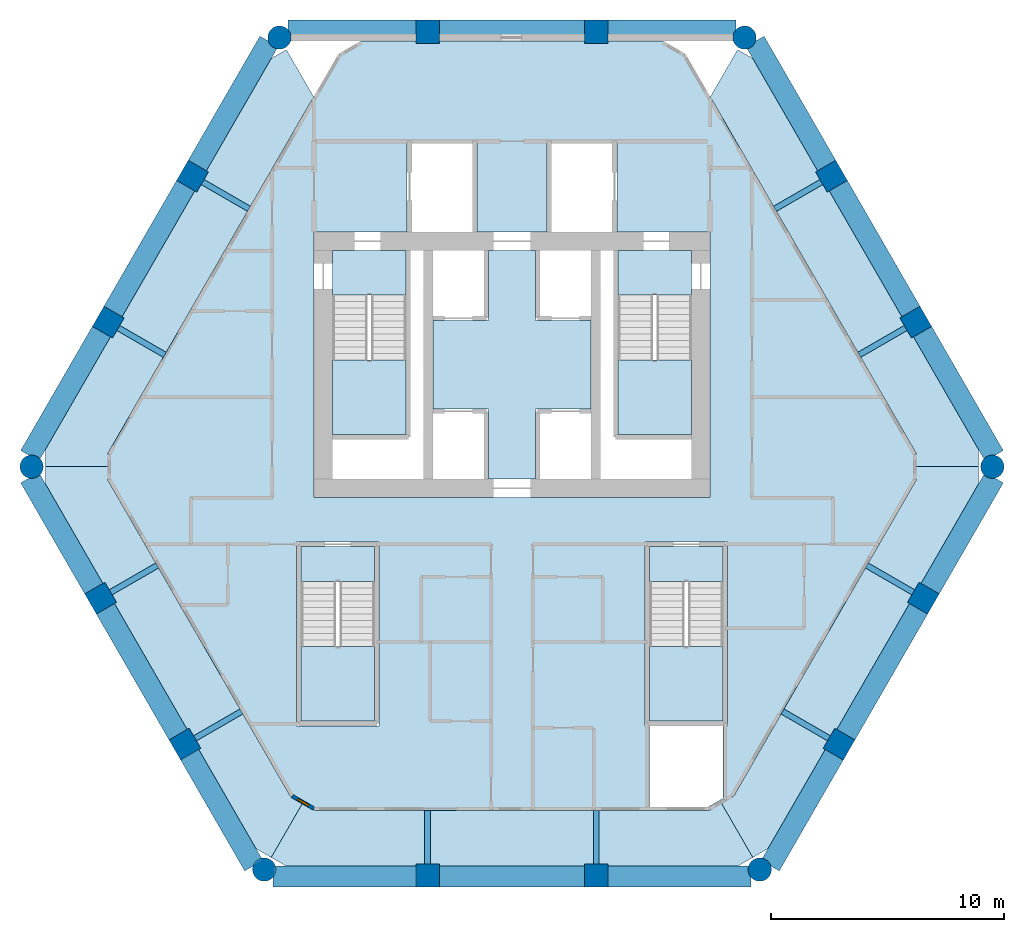
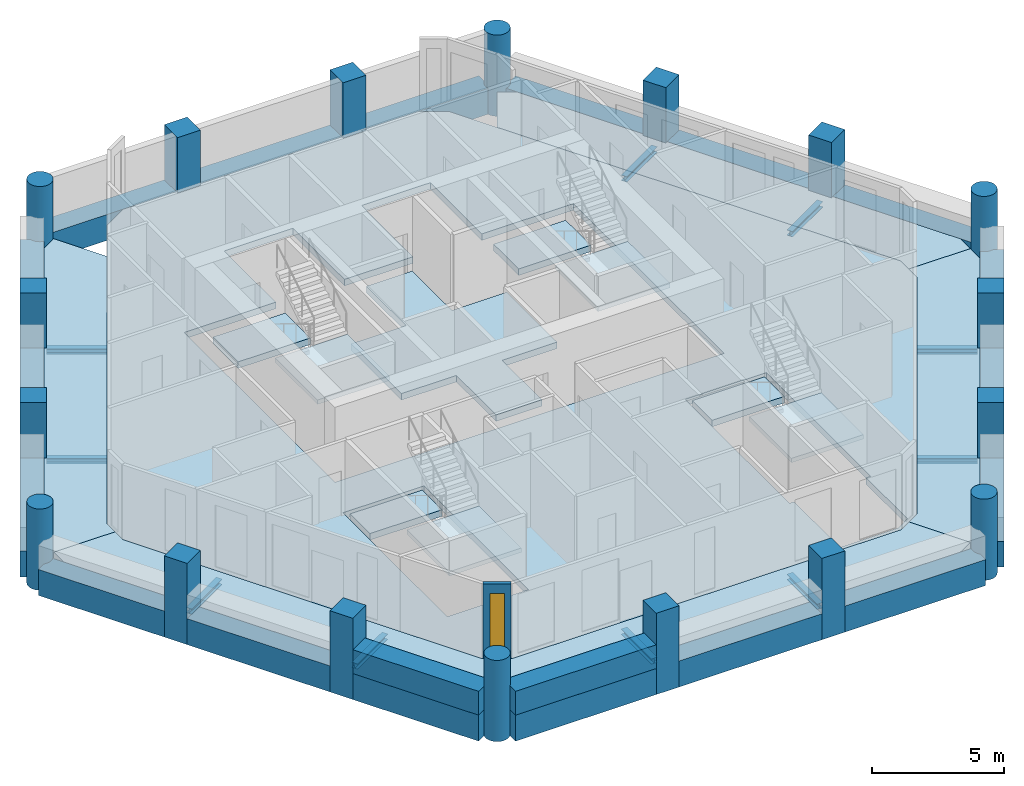
# One storey, part 1 of 7: 28 beams, 18 columns, 15 slabs, 3 walls, 1 window, 1 opening, 4 elements without a shape of their own.
"""IFC4 building model written with IfcOpenShell, lengths in metres."""

import ifcopenshell
import ifcopenshell.guid

model = None  # the IFC model being written
_history = None  # IfcOwnerHistory: only IFC2X3 demands one
_inside = {}  # id of a spatial element -> (the spatial element, [elements in it])
_under = {}  # id of a project, library or spatial element -> (it, [spatial elements below it])
_declared = {}  # id of a project -> (the project, [libraries it declares])
_typed = {}  # id of a type object -> (the type object, [elements of that type])
_made_of = {}  # id of a material, layer set ... -> (it, [elements and type objects made of it])


def new_model(schema):
    """Start an empty IFC model of exactly this schema.

    Asked for "IFC4X3", IfcOpenShell would pick the latest addendum, in which some entities
    have other attributes; the version numbers below select the first issue.
    IFC2X3 requires an IfcOwnerHistory on every rooted entity: one is made here for all.
    """
    global model, _history
    if schema == "IFC4X3":
        model = ifcopenshell.file(schema_version=(4, 3, 0, 0))
    else:
        model = ifcopenshell.file(schema=schema)
    _inside.clear()
    _under.clear()
    _declared.clear()
    _typed.clear()
    _made_of.clear()
    _history = None
    if model.schema == "IFC2X3":
        org = make("IfcOrganization", Name="unknown")
        user = make(
            "IfcPersonAndOrganization",
            ThePerson=make("IfcPerson", FamilyName="unknown"),
            TheOrganization=org,
        )
        app = make(
            "IfcApplication",
            ApplicationDeveloper=org,
            Version="unknown",
            ApplicationFullName="unknown",
            ApplicationIdentifier="unknown",
        )
        _history = make(
            "IfcOwnerHistory",
            OwningUser=user,
            OwningApplication=app,
            ChangeAction="ADDED",
            CreationDate=0,
        )
    return model


def make(cls, **values):
    """One entity of the class cls with the attributes given. An attribute that is None is left unset."""
    return model.create_entity(
        cls, **{name: value for name, value in values.items() if value is not None}
    )


def rooted(cls, **values):
    """An entity with a GlobalId (a new one), such as an element, a storey or a relation."""
    return make(cls, GlobalId=ifcopenshell.guid.new(), OwnerHistory=_history, **values)


def si_unit(unit_type, name, prefix=None):
    """IfcSIUnit, for example si_unit("LENGTHUNIT", "METRE", prefix="MILLI")."""
    return make("IfcSIUnit", UnitType=unit_type, Prefix=prefix, Name=name)


def assignment(units):
    """IfcUnitAssignment: the units of a project."""
    return None if units is None else make("IfcUnitAssignment", Units=units)


def point(xyz):
    """IfcCartesianPoint."""
    return None if xyz is None else make("IfcCartesianPoint", Coordinates=xyz)


def direction(xyz):
    """IfcDirection."""
    return None if xyz is None else make("IfcDirection", DirectionRatios=xyz)


def frame(location, z_axis=None, x_axis=None):
    """IfcAxis2Placement3D, a coordinate frame: its origin and axes. An axis left out is left unset."""
    return make(
        "IfcAxis2Placement3D",
        Location=point(location),
        Axis=direction(z_axis),
        RefDirection=direction(x_axis),
    )


def frame_2d(location, x_axis=None):
    """IfcAxis2Placement2D, a coordinate frame in the plane: its origin and x axis."""
    return make(
        "IfcAxis2Placement2D", Location=point(location), RefDirection=direction(x_axis)
    )


def origin():
    """The frame at (0, 0, 0) with its axes left unset."""
    return frame((0.0, 0.0, 0.0))


def origin_2d():
    """The frame at (0, 0) in the plane with its x axis left unset."""
    return frame_2d((0.0, 0.0))


def place(relative_to, where):
    """IfcLocalPlacement: puts the frame where relative to a parent placement (None: the world)."""
    return make(
        "IfcLocalPlacement", PlacementRelTo=relative_to, RelativePlacement=where
    )


def context(
    kind, dimensions, precision=None, world=None, true_north=None, identifier=None
):
    """IfcGeometricRepresentationContext, for example the 3D "Model" context."""
    return make(
        "IfcGeometricRepresentationContext",
        ContextIdentifier=identifier,
        ContextType=kind,
        CoordinateSpaceDimension=dimensions,
        Precision=precision,
        WorldCoordinateSystem=world,
        TrueNorth=true_north,
    )


def subcontext(parent, identifier, kind, view, scale=None):
    """IfcGeometricRepresentationSubContext, for example "Body" below "Model"."""
    return make(
        "IfcGeometricRepresentationSubContext",
        ContextIdentifier=identifier,
        ContextType=kind,
        ParentContext=parent,
        TargetScale=scale,
        TargetView=view,
    )


def project(units=None, contexts=None):
    """IfcProject with its units and contexts."""
    return rooted(
        "IfcProject",
        Name="project",
        RepresentationContexts=contexts,
        UnitsInContext=assignment(units),
    )


def spatial(cls, under=None, at=None, **own):
    """A site, building, storey or space (cls), placed at a placement, below another one or the project."""
    s = rooted(cls, ObjectPlacement=at, **own)
    if under is not None:
        _under.setdefault(under.id(), (under, []))[1].append(s)
    return s


def polyline(points):
    """IfcPolyline through the points."""
    return make("IfcPolyline", Points=[point(p) for p in points])


def profile(cls, at=None, kind="AREA", **sizes):
    """A parametric profile (cls). Its sizes go by their IFC names, for example OverallWidth=200.0."""
    return make(cls, ProfileType=kind, Position=at, **sizes)


def rectangle(**sizes):
    """IfcRectangleProfileDef."""
    return profile("IfcRectangleProfileDef", **sizes)


def circle(**sizes):
    """IfcCircleProfileDef."""
    return profile("IfcCircleProfileDef", **sizes)


def i_section(**sizes):
    """IfcIShapeProfileDef."""
    return profile("IfcIShapeProfileDef", **sizes)


def outline(outer, holes=None, kind="AREA"):
    """IfcArbitraryClosedProfileDef: a profile drawn as a closed curve; with holes, ...WithVoids."""
    if holes is None:
        return make("IfcArbitraryClosedProfileDef", ProfileType=kind, OuterCurve=outer)
    return make(
        "IfcArbitraryProfileDefWithVoids",
        ProfileType=kind,
        OuterCurve=outer,
        InnerCurves=holes,
    )


def extrude(swept, where, along, depth):
    """IfcExtrudedAreaSolid: the profile swept, set in the frame where, extruded along a direction by depth."""
    return make(
        "IfcExtrudedAreaSolid",
        SweptArea=swept,
        Position=where,
        ExtrudedDirection=direction(along),
        Depth=depth,
    )


def shape(context_of_items, identifier, shape_type, items):
    """IfcShapeRepresentation: the items that make up one representation, for example the "Body"."""
    return make(
        "IfcShapeRepresentation",
        ContextOfItems=context_of_items,
        RepresentationIdentifier=identifier,
        RepresentationType=shape_type,
        Items=items,
    )


def material(Name=None, Category=None):
    """IfcMaterial."""
    return make("IfcMaterial", Name=Name, Category=Category)


def layer(
    of_material, thickness, ventilated=None, Name=None, Category=None, Priority=None
):
    """IfcMaterialLayer: one layer of a wall or slab, of a material (None: an air gap)."""
    return make(
        "IfcMaterialLayer",
        Material=of_material,
        LayerThickness=thickness,
        IsVentilated=ventilated,
        Name=Name,
        Category=Category,
        Priority=Priority,
    )


def layer_set(layers, Name=None):
    """IfcMaterialLayerSet."""
    return make("IfcMaterialLayerSet", MaterialLayers=layers, LayerSetName=Name)


def material_profile(
    of_material, cross_section, Name=None, Category=None, Priority=None
):
    """IfcMaterialProfile: a cross section and its material."""
    return make(
        "IfcMaterialProfile",
        Name=Name,
        Material=of_material,
        Profile=cross_section,
        Priority=Priority,
        Category=Category,
    )


def profile_set(profiles, Name=None, composite=None):
    """IfcMaterialProfileSet."""
    return make(
        "IfcMaterialProfileSet",
        Name=Name,
        MaterialProfiles=profiles,
        CompositeProfile=composite,
    )


def made_of(thing, what):
    """Note that an element or type object is made of a material, layer set ...; save() writes the relation."""
    if what is not None:
        _made_of.setdefault(what.id(), (what, []))[1].append(thing)
    return thing


def type_object(cls, material=None, **own):
    """A type object (cls), such as IfcWallType, which elements share."""
    return made_of(rooted(cls, **own), material)


def element(
    cls,
    number,
    at=None,
    inside=None,
    cuts=None,
    type_object=None,
    material=None,
    context=None,
    identifier="Body",
    shape_type=None,
    held_by="IfcProductDefinitionShape",
    body=None,
    shapes=None,
    **own,
):
    """One element of the class cls, such as IfcWall. Its Tag is "e" and its number.

    at: its placement. inside: the storey or other place that contains it. cuts: it is an
    opening in that element (IfcRelVoidsElement). A single representation is given by context,
    identifier, shape_type and body (its items); several are given by shapes. held_by: the class
    of the entity that holds the representations. save() writes the other relations.
    """
    e = rooted(cls, Tag="e%d" % number, ObjectPlacement=at, **own)
    if body is not None:
        shapes = [shape(context, identifier, shape_type, body)]
    if shapes is not None:
        e.Representation = make(held_by, Representations=shapes)
    if inside is not None:
        _inside.setdefault(inside.id(), (inside, []))[1].append(e)
    if cuts is not None:
        rooted(
            "IfcRelVoidsElement", RelatingBuildingElement=cuts, RelatedOpeningElement=e
        )
    if type_object is not None:
        _typed.setdefault(type_object.id(), (type_object, []))[1].append(e)
    return made_of(e, material)


def fill(opening, filler):
    """IfcRelFillsElement: the door or window that sits in an opening."""
    return rooted(
        "IfcRelFillsElement",
        RelatingOpeningElement=opening,
        RelatedBuildingElement=filler,
    )


def aggregate(whole, parts):
    """IfcRelAggregates: a whole, such as a stair, and the parts it consists of."""
    return rooted("IfcRelAggregates", RelatingObject=whole, RelatedObjects=parts)


def save(model, path):
    """Write the relations noted so far, then the file.

    IfcRelAggregates (storeys below a building ...), IfcRelContainedInSpatialStructure (elements
    in a storey), IfcRelDefinesByType, IfcRelAssociatesMaterial and IfcRelDeclares: one each for
    every whole, place, type object, material and project.
    """
    for whole, parts in _under.values():
        aggregate(whole, parts)
    for where, things in _inside.values():
        rooted(
            "IfcRelContainedInSpatialStructure",
            RelatedElements=things,
            RelatingStructure=where,
        )
    for kind, things in _typed.values():
        rooted("IfcRelDefinesByType", RelatedObjects=things, RelatingType=kind)
    for what, things in _made_of.values():
        rooted("IfcRelAssociatesMaterial", RelatedObjects=things, RelatingMaterial=what)
    for by, libraries in _declared.values():
        rooted("IfcRelDeclares", RelatingContext=by, RelatedDefinitions=libraries)
    model.write(path)


model = new_model("IFC4")

# Units and contexts
model_context = context("Model", 3, precision=1e-05, world=origin(), true_north=direction((0.0, 1.0)))
body_context = subcontext(model_context, "Body", "Model", "MODEL_VIEW")
ifc_project = project(units=[si_unit("LENGTHUNIT", "METRE"), si_unit("AREAUNIT", "SQUARE_METRE"), si_unit("VOLUMEUNIT", "CUBIC_METRE"), si_unit("PLANEANGLEUNIT", "RADIAN"), si_unit("MASSUNIT", "GRAM", prefix="KILO")], contexts=[model_context])

# Site, building, storey
site_placement = place(None, origin())
site = spatial("IfcSite", under=ifc_project, at=site_placement, CompositionType="ELEMENT")
building_placement = place(site_placement, origin())
building = spatial("IfcBuilding", under=site, at=building_placement, Name="Ostrander Bayou Hotel Tower", CompositionType="ELEMENT")
storey_placement = place(building_placement, frame((0.0, 0.0, 172.0)))
storey = spatial("IfcBuildingStorey", under=building, at=storey_placement, Name="L42", CompositionType="ELEMENT", Elevation=172.0)

# Columns
ifc_material_1 = material(Name="Concrete f'c 60 MPa", Category="concrete")
ifc_material_profile_1 = material_profile(ifc_material_1, circle(Radius=0.5, at=origin_2d()))
ifc_profile_set_1 = profile_set([ifc_material_profile_1], Name="Concrete f'c 60 MPa")
column_type_1 = type_object("IfcColumnType", Name="C5 round column 1000 mm f'c 60 MPa", PredefinedType="COLUMN", material=ifc_profile_set_1)
for number, where, z_axis, x_axis, name in (
    (1, (-9.98388671875, 18.04541015625, -1.199951171875), (0.0, 0.0, 1.0), (1.0, 0.0, 0.0), "C5 L42 K0"),
    (2, (-20.619873046875, -0.37646484375, -1.199951171875), (0.0, 0.0, 1.0), (1.0, 0.0, 0.0), "C5 L42 K1"),
    (3, (-10.635986328125, -17.669189453125, -1.199951171875), (0.0, 0.0, 1.0), (1.0, 0.0, 0.0), "C5 L42 K2"),
    (4, (10.635986328125, -17.669189453125, -1.199951171875), (0.0, 0.0, 1.0), (1.0, 0.0, 0.0), "C5 L42 K3"),
    (5, (20.619873046875, -0.37646484375, -1.199951171875), (0.0, 0.0, 1.0), (1.0, 0.0, 0.0), "C5 L42 K4"),
    (6, (9.98388671875, 18.04541015625, -1.199951171875), (0.0, 0.0, 1.0), (1.0, 0.0, 0.0), "C5 L42 K5"),
):
    element("IfcColumn", number, at=place(storey_placement, frame(where, z_axis=z_axis, x_axis=x_axis)), inside=storey, type_object=column_type_1, Name=name, PredefinedType="COLUMN", context=body_context, shape_type="SweptSolid", body=[
        extrude(circle(Radius=0.5, at=origin_2d()), origin(), (0.0, 0.0, 1.0), 3.75),
    ])
ifc_material_2 = material(Name="Concrete f'c 60 MPa", Category="concrete")
ifc_material_profile_2 = material_profile(ifc_material_2, rectangle(XDim=1.0, YDim=1.0, at=origin_2d()))
ifc_profile_set_2 = profile_set([ifc_material_profile_2], Name="Concrete f'c 60 MPa")
column_type_2 = type_object("IfcColumnType", Name="C6 square column 1000 x 1000 mm f'c 60 MPa", PredefinedType="COLUMN", material=ifc_profile_set_2)
for number, where, z_axis, x_axis, name in (
    (7, (3.6181640625, 18.300048828125, -1.199951171875), (0.0, 0.0, 1.0), (1.0, 0.0, 0.0), "C6 L42 N1"),
    (8, (-3.6181640625, 18.300048828125, -1.199951171875), (0.0, 0.0, 1.0), (1.0, 0.0, 0.0), "C6 L42 N2"),
    (9, (-13.71337890625, 12.09521484375, -1.199951171875), (0.0, 0.0, 1.0), (0.5, 0.866025403784, 0.0), "C6 L42 NW1"),
    (10, (-17.331298828125, 5.82861328125, -1.199951171875), (0.0, 0.0, 1.0), (0.5, 0.866025403784, 0.0), "C6 L42 NW2"),
    (11, (-17.6572265625, -6.0166015625, -1.199951171875), (0.0, 0.0, 1.0), (-0.5, 0.866025403784, 0.0), "C6 L42 SW1"),
    (12, (-14.039306640625, -12.283203125, -1.199951171875), (0.0, 0.0, 1.0), (-0.5, 0.866025403784, 0.0), "C6 L42 SW2"),
    (13, (-3.6181640625, -17.923583984375, -1.199951171875), (0.0, 0.0, 1.0), (-1.0, 0.0, 0.0), "C6 L42 S1"),
    (14, (3.6181640625, -17.923583984375, -1.199951171875), (0.0, 0.0, 1.0), (-1.0, 0.0, 0.0), "C6 L42 S2"),
    (15, (14.039306640625, -12.283203125, -1.199951171875), (0.0, 0.0, 1.0), (-0.5, -0.866025403784, 0.0), "C6 L42 SE1"),
    (16, (17.6572265625, -6.0166015625, -1.199951171875), (0.0, 0.0, 1.0), (-0.5, -0.866025403784, 0.0), "C6 L42 SE2"),
    (17, (17.331298828125, 5.82861328125, -1.199951171875), (0.0, 0.0, 1.0), (0.5, -0.866025403784, 0.0), "C6 L42 NE1"),
    (18, (13.71337890625, 12.09521484375, -1.199951171875), (0.0, 0.0, 1.0), (0.5, -0.866025403784, 0.0), "C6 L42 NE2"),
):
    element("IfcColumn", number, at=place(storey_placement, frame(where, z_axis=z_axis, x_axis=x_axis)), inside=storey, type_object=column_type_2, Name=name, PredefinedType="COLUMN", context=body_context, shape_type="SweptSolid", body=[
        extrude(rectangle(XDim=1.0, YDim=1.0, at=origin_2d()), origin(), (0.0, 0.0, 1.0), 3.75),
    ])

# Beams
ifc_material_3 = material(Name="Steel ASTM A992", Category="steel")
ifc_material_profile_3 = material_profile(ifc_material_3, i_section(OverallWidth=0.25390625, OverallDepth=0.25341796875, WebThickness=0.008544921875, FlangeThickness=0.01416015625, at=origin_2d()))
ifc_profile_set_3 = profile_set([ifc_material_profile_3], Name="Steel ASTM A992")
beam_type_1 = type_object("IfcBeamType", Name="LB2 loggia bracket W10x49", PredefinedType="BEAM", material=ifc_profile_set_3)
for number, where, z_axis, x_axis, name in (
    (19, (-13.2802734375, 11.84521484375, -0.4267578125), (0.866007057882, -0.500031774688, 0.0), (0.500031774688, 0.866007057882, 0.0), "LB2 L42 NW1"),
    (20, (-16.898193359375, 5.57861328125, -0.4267578125), (0.865980515519, -0.500077740698, 0.0), (0.500077740698, 0.865980515519, 0.0), "LB2 L42 NW2"),
    (21, (-17.224365234375, -5.7666015625, -0.4267578125), (0.866053019151, 0.499952165731, 0.0), (-0.499952165731, 0.866053019151, 0.0), "LB2 L42 SW1"),
):
    element("IfcBeam", number, at=place(storey_placement, frame(where, z_axis=z_axis, x_axis=x_axis)), inside=storey, type_object=beam_type_1, Name=name, PredefinedType="BEAM", context=body_context, shape_type="SweptSolid", body=[
        extrude(i_section(OverallWidth=0.25390625, OverallDepth=0.25341796875, WebThickness=0.008544921875, FlangeThickness=0.01416015625, at=origin_2d()), origin(), (0.0, 0.0, 1.0), 2.300048828125),
    ])
beam_1_placement = place(storey_placement, frame((-13.606201171875, -12.033203125, -0.4267578125), z_axis=(0.86602648383, 0.499998129301, 0.0), x_axis=(-0.499998129301, 0.86602648383, 0.0)))
element("IfcBeam", 22, at=beam_1_placement, inside=storey, type_object=beam_type_1, Name="LB2 L42 SW2", PredefinedType="BEAM", context=body_context, shape_type="SweptSolid", body=[
    extrude(i_section(OverallWidth=0.25390625, OverallDepth=0.25341796875, WebThickness=0.008544921875, FlangeThickness=0.01416015625, at=origin_2d()), origin(), (0.0, 0.0, 1.0), 2.2998046875),
])
for number, where, z_axis, x_axis, name in (
    (23, (-3.6181640625, -17.423583984375, -0.4267578125), (0.0, 1.0, 0.0), (-1.0, 0.0, 0.0), "LB2 L42 S1"),
    (24, (3.6181640625, -17.423583984375, -0.4267578125), (0.0, 1.0, 0.0), (-1.0, 0.0, 0.0), "LB2 L42 S2"),
):
    element("IfcBeam", number, at=place(storey_placement, frame(where, z_axis=z_axis, x_axis=x_axis)), inside=storey, type_object=beam_type_1, Name=name, PredefinedType="BEAM", context=body_context, shape_type="SweptSolid", body=[
        extrude(i_section(OverallWidth=0.25390625, OverallDepth=0.25341796875, WebThickness=0.008544921875, FlangeThickness=0.01416015625, at=origin_2d()), origin(), (0.0, 0.0, 1.0), 2.300048828125),
    ])
beam_2_placement = place(storey_placement, frame((13.606201171875, -12.033203125, -0.4267578125), z_axis=(-0.86602648383, 0.499998129301, 0.0), x_axis=(-0.499998129301, -0.86602648383, 0.0)))
element("IfcBeam", 25, at=beam_2_placement, inside=storey, type_object=beam_type_1, Name="LB2 L42 SE1", PredefinedType="BEAM", context=body_context, shape_type="SweptSolid", body=[
    extrude(i_section(OverallWidth=0.25390625, OverallDepth=0.25341796875, WebThickness=0.008544921875, FlangeThickness=0.01416015625, at=origin_2d()), origin(), (0.0, 0.0, 1.0), 2.2998046875),
])
for number, where, z_axis, x_axis, name in (
    (26, (17.224365234375, -5.7666015625, -0.4267578125), (-0.866053019151, 0.499952165731, 0.0), (-0.499952165731, -0.866053019151, 0.0), "LB2 L42 SE2"),
    (27, (16.898193359375, 5.57861328125, -0.4267578125), (-0.865980515519, -0.500077740698, 0.0), (0.500077740698, -0.865980515519, 0.0), "LB2 L42 NE1"),
    (28, (13.2802734375, 11.84521484375, -0.4267578125), (-0.866007057882, -0.500031774688, 0.0), (0.500031774688, -0.866007057882, 0.0), "LB2 L42 NE2"),
):
    element("IfcBeam", number, at=place(storey_placement, frame(where, z_axis=z_axis, x_axis=x_axis)), inside=storey, type_object=beam_type_1, Name=name, PredefinedType="BEAM", context=body_context, shape_type="SweptSolid", body=[
        extrude(i_section(OverallWidth=0.25390625, OverallDepth=0.25341796875, WebThickness=0.008544921875, FlangeThickness=0.01416015625, at=origin_2d()), origin(), (0.0, 0.0, 1.0), 2.300048828125),
    ])
ifc_material_4 = material(Name="Concrete f'c 60 MPa", Category="concrete")
ifc_material_profile_4 = material_profile(ifc_material_4, rectangle(XDim=0.89990234375, YDim=1.199951171875, at=origin_2d()))
ifc_profile_set_4 = profile_set([ifc_material_profile_4], Name="Concrete f'c 60 MPa")
beam_type_2 = type_object("IfcBeamType", Name="SP3 spandrel beam 900 x 1200 mm f'c 60 MPa", PredefinedType="SPANDREL", material=ifc_profile_set_4)
beam_3_placement = place(storey_placement, frame((9.617431640625, 18.35009765625, -0.60009765625), z_axis=(-1.0, 0.0, 0.0), x_axis=(0.0, -1.0, 0.0)))
element("IfcBeam", 29, at=beam_3_placement, inside=storey, type_object=beam_type_2, Name="SP3 L42 N-1", PredefinedType="SPANDREL", context=body_context, shape_type="SweptSolid", body=[
    extrude(rectangle(XDim=0.89990234375, YDim=1.199951171875, at=origin_2d()), origin(), (0.0, 0.0, 1.0), 5.529296875),
])
beam_4_placement = place(storey_placement, frame((3.148193359375, 18.35009765625, -0.60009765625), z_axis=(-1.0, 0.0, 0.0), x_axis=(0.0, -1.0, 0.0)))
element("IfcBeam", 30, at=beam_4_placement, inside=storey, type_object=beam_type_2, Name="SP3 L42 N-2", PredefinedType="SPANDREL", context=body_context, shape_type="SweptSolid", body=[
    extrude(rectangle(XDim=0.89990234375, YDim=1.199951171875, at=origin_2d()), origin(), (0.0, 0.0, 1.0), 6.29638671875),
])
beam_5_placement = place(storey_placement, frame((-4.088134765625, 18.35009765625, -0.60009765625), z_axis=(-1.0, 0.0, 0.0), x_axis=(0.0, -1.0, 0.0)))
element("IfcBeam", 31, at=beam_5_placement, inside=storey, type_object=beam_type_2, Name="SP3 L42 N-3", PredefinedType="SPANDREL", context=body_context, shape_type="SweptSolid", body=[
    extrude(rectangle(XDim=0.89990234375, YDim=1.199951171875, at=origin_2d()), origin(), (0.0, 0.0, 1.0), 5.529296875),
])
beam_6_placement = place(storey_placement, frame((-10.430908203125, 17.88037109375, -0.60009765625), z_axis=(-0.49998343065, -0.866034969892, 0.0), x_axis=(0.866034969892, -0.49998343065, 0.0)))
element("IfcBeam", 32, at=beam_6_placement, inside=storey, type_object=beam_type_2, Name="SP3 L42 NW-1", PredefinedType="SPANDREL", context=body_context, shape_type="SweptSolid", body=[
    extrude(rectangle(XDim=0.89990234375, YDim=1.199951171875, at=origin_2d()), origin(), (0.0, 0.0, 1.0), 6.181396484375),
])
beam_7_placement = place(storey_placement, frame((-13.99169921875, 11.713134765625, -0.60009765625), z_axis=(-0.499984268907, -0.866034485945, 0.0), x_axis=(0.866034485945, -0.499984268907, 0.0)))
element("IfcBeam", 33, at=beam_7_placement, inside=storey, type_object=beam_type_2, Name="SP3 L42 NW-2", PredefinedType="SPANDREL", context=body_context, shape_type="SweptSolid", body=[
    extrude(rectangle(XDim=0.89990234375, YDim=1.199951171875, at=origin_2d()), origin(), (0.0, 0.0, 1.0), 6.296142578125),
])
beam_8_placement = place(storey_placement, frame((-17.609619140625, 5.4462890625, -0.60009765625), z_axis=(-0.500000533151, -0.866025095969, 0.0), x_axis=(0.866025095969, -0.500000533151, 0.0)))
element("IfcBeam", 34, at=beam_8_placement, inside=storey, type_object=beam_type_2, Name="SP3 L42 NW-3", PredefinedType="SPANDREL", context=body_context, shape_type="SweptSolid", body=[
    extrude(rectangle(XDim=0.89990234375, YDim=1.199951171875, at=origin_2d()), origin(), (0.0, 0.0, 1.0), 6.18115234375),
])
beam_9_placement = place(storey_placement, frame((-20.7001953125, -0.84619140625, -0.60009765625), z_axis=(0.500014212531, -0.86601719802, 0.0), x_axis=(0.86601719802, 0.500014212531, 0.0)))
element("IfcBeam", 35, at=beam_9_placement, inside=storey, type_object=beam_type_2, Name="SP3 L42 SW-1", PredefinedType="SPANDREL", context=body_context, shape_type="SweptSolid", body=[
    extrude(rectangle(XDim=0.89990234375, YDim=1.199951171875, at=origin_2d()), origin(), (0.0, 0.0, 1.0), 5.529052734375),
])
beam_10_placement = place(storey_placement, frame((-17.465576171875, -6.44873046875, -0.60009765625), z_axis=(0.500013351051, -0.866017695414, 0.0), x_axis=(0.866017695414, 0.500013351051, 0.0)))
element("IfcBeam", 36, at=beam_10_placement, inside=storey, type_object=beam_type_2, Name="SP3 L42 SW-2", PredefinedType="SPANDREL", context=body_context, shape_type="SweptSolid", body=[
    extrude(rectangle(XDim=0.89990234375, YDim=1.199951171875, at=origin_2d()), origin(), (0.0, 0.0, 1.0), 6.296142578125),
])
beam_11_placement = place(storey_placement, frame((-13.847412109375, -12.71533203125, -0.60009765625), z_axis=(0.499961976493, -0.866047355554, 0.0), x_axis=(0.866047355554, 0.499961976493, 0.0)))
element("IfcBeam", 37, at=beam_11_placement, inside=storey, type_object=beam_type_2, Name="SP3 L42 SW-3", PredefinedType="SPANDREL", context=body_context, shape_type="SweptSolid", body=[
    extrude(rectangle(XDim=0.89990234375, YDim=1.199951171875, at=origin_2d()), origin(), (0.0, 0.0, 1.0), 5.529296875),
])
beam_12_placement = place(storey_placement, frame((-10.269287109375, -17.9736328125, -0.60009765625), z_axis=(1.0, 0.0, 0.0), x_axis=(0.0, 1.0, 0.0)))
element("IfcBeam", 38, at=beam_12_placement, inside=storey, type_object=beam_type_2, Name="SP3 L42 S-1", PredefinedType="SPANDREL", context=body_context, shape_type="SweptSolid", body=[
    extrude(rectangle(XDim=0.89990234375, YDim=1.199951171875, at=origin_2d()), origin(), (0.0, 0.0, 1.0), 6.18115234375),
])
beam_13_placement = place(storey_placement, frame((-3.148193359375, -17.9736328125, -0.60009765625), z_axis=(1.0, 0.0, 0.0), x_axis=(0.0, 1.0, 0.0)))
element("IfcBeam", 39, at=beam_13_placement, inside=storey, type_object=beam_type_2, Name="SP3 L42 S-2", PredefinedType="SPANDREL", context=body_context, shape_type="SweptSolid", body=[
    extrude(rectangle(XDim=0.89990234375, YDim=1.199951171875, at=origin_2d()), origin(), (0.0, 0.0, 1.0), 6.29638671875),
])
beam_14_placement = place(storey_placement, frame((4.088134765625, -17.9736328125, -0.60009765625), z_axis=(1.0, 0.0, 0.0), x_axis=(0.0, 1.0, 0.0)))
element("IfcBeam", 40, at=beam_14_placement, inside=storey, type_object=beam_type_2, Name="SP3 L42 S-3", PredefinedType="SPANDREL", context=body_context, shape_type="SweptSolid", body=[
    extrude(rectangle(XDim=0.89990234375, YDim=1.199951171875, at=origin_2d()), origin(), (0.0, 0.0, 1.0), 6.18115234375),
])
beam_15_placement = place(storey_placement, frame((11.0830078125, -17.50390625, -0.60009765625), z_axis=(0.499961976493, 0.866047355554, 0.0), x_axis=(-0.866047355554, 0.499961976493, 0.0)))
element("IfcBeam", 41, at=beam_15_placement, inside=storey, type_object=beam_type_2, Name="SP3 L42 SE-1", PredefinedType="SPANDREL", context=body_context, shape_type="SweptSolid", body=[
    extrude(rectangle(XDim=0.89990234375, YDim=1.199951171875, at=origin_2d()), origin(), (0.0, 0.0, 1.0), 5.529296875),
])
beam_16_placement = place(storey_placement, frame((14.3173828125, -11.9013671875, -0.60009765625), z_axis=(0.500013351051, 0.866017695414, 0.0), x_axis=(-0.866017695414, 0.500013351051, 0.0)))
element("IfcBeam", 42, at=beam_16_placement, inside=storey, type_object=beam_type_2, Name="SP3 L42 SE-2", PredefinedType="SPANDREL", context=body_context, shape_type="SweptSolid", body=[
    extrude(rectangle(XDim=0.89990234375, YDim=1.199951171875, at=origin_2d()), origin(), (0.0, 0.0, 1.0), 6.296142578125),
])
beam_17_placement = place(storey_placement, frame((17.935546875, -5.634521484375, -0.60009765625), z_axis=(0.500014212531, 0.86601719802, 0.0), x_axis=(-0.86601719802, 0.500014212531, 0.0)))
element("IfcBeam", 43, at=beam_17_placement, inside=storey, type_object=beam_type_2, Name="SP3 L42 SE-3", PredefinedType="SPANDREL", context=body_context, shape_type="SweptSolid", body=[
    extrude(rectangle(XDim=0.89990234375, YDim=1.199951171875, at=origin_2d()), origin(), (0.0, 0.0, 1.0), 5.529052734375),
])
beam_18_placement = place(storey_placement, frame((20.7001953125, 0.09326171875, -0.60009765625), z_axis=(-0.500000533151, 0.866025095969, 0.0), x_axis=(-0.866025095969, -0.500000533151, 0.0)))
element("IfcBeam", 44, at=beam_18_placement, inside=storey, type_object=beam_type_2, Name="SP3 L42 NE-1", PredefinedType="SPANDREL", context=body_context, shape_type="SweptSolid", body=[
    extrude(rectangle(XDim=0.89990234375, YDim=1.199951171875, at=origin_2d()), origin(), (0.0, 0.0, 1.0), 6.18115234375),
])
beam_19_placement = place(storey_placement, frame((17.1396484375, 6.260498046875, -0.60009765625), z_axis=(-0.499984268907, 0.866034485945, 0.0), x_axis=(-0.866034485945, -0.499984268907, 0.0)))
element("IfcBeam", 45, at=beam_19_placement, inside=storey, type_object=beam_type_2, Name="SP3 L42 NE-2", PredefinedType="SPANDREL", context=body_context, shape_type="SweptSolid", body=[
    extrude(rectangle(XDim=0.89990234375, YDim=1.199951171875, at=origin_2d()), origin(), (0.0, 0.0, 1.0), 6.296142578125),
])
beam_20_placement = place(storey_placement, frame((13.521484375, 12.527099609375, -0.60009765625), z_axis=(-0.49998343065, 0.866034969892, 0.0), x_axis=(-0.866034969892, -0.49998343065, 0.0)))
element("IfcBeam", 46, at=beam_20_placement, inside=storey, type_object=beam_type_2, Name="SP3 L42 NE-3", PredefinedType="SPANDREL", context=body_context, shape_type="SweptSolid", body=[
    extrude(rectangle(XDim=0.89990234375, YDim=1.199951171875, at=origin_2d()), origin(), (0.0, 0.0, 1.0), 6.181396484375),
])

# Slabs
ifc_material_5 = material(Name="Concrete f'c 40 MPa", Category="concrete")
ifc_layer_1 = layer(ifc_material_5, 0.300048828125)
ifc_layer_set_1 = layer_set([ifc_layer_1], Name="SL1 floor slab 300 mm f'c 40 MPa")
slab_type_1 = type_object("IfcSlabType", Name="SL1 floor slab 300 mm f'c 40 MPa", PredefinedType="FLOOR", material=ifc_layer_set_1)
slab_1_placement = place(storey_placement, frame((0.0, 0.0, -0.300048828125)))
element("IfcSlab", 47, at=slab_1_placement, inside=storey, type_object=slab_type_1, Name="SL1 L42 1", PredefinedType="FLOOR", context=body_context, shape_type="SweptSolid", body=[
    extrude(outline(polyline([(7.47509765625, 17.300048828125), (17.333984375, 0.2236328125), (17.333984375, -0.976318359375), (9.5126953125, -14.523681640625), (8.473388671875, -15.12353515625), (-8.473388671875, -15.12353515625), (-9.5126953125, -14.523681640625), (-17.333984375, -0.976318359375), (-17.333984375, 0.2236328125), (-7.47509765625, 17.300048828125), (-6.435791015625, 17.89990234375), (6.435791015625, 17.89990234375), (7.47509765625, 17.300048828125)]), holes=[polyline([(9.050048828125, -11.5), (9.25, -11.5), (9.25, -3.60009765625), (5.699951171875, -3.60009765625), (5.699951171875, -11.5), (5.89990234375, -11.5), (5.89990234375, -14.9736328125), (8.43310546875, -14.9736328125), (9.050048828125, -14.617431640625), (9.050048828125, -11.5)]), polyline([(-8.5, -1.699951171875), (8.5, -1.699951171875), (8.5, 9.699951171875), (4.5, 9.699951171875), (4.5, 13.60009765625), (1.5, 13.60009765625), (1.5, 9.699951171875), (-1.5, 9.699951171875), (-1.5, 13.60009765625), (-4.5, 13.60009765625), (-4.5, 9.699951171875), (-8.5, 9.699951171875), (-8.5, -1.699951171875)]), polyline([(-5.699951171875, -3.60009765625), (-9.25, -3.60009765625), (-9.25, -11.5), (-5.699951171875, -11.5), (-5.699951171875, -3.60009765625)])]), origin(), (0.0, 0.0, 1.0), 0.300048828125),
])
slab_2_placement = place(storey_placement, frame((0.0, 0.0, -0.300048828125)))
element("IfcSlab", 48, at=slab_2_placement, inside=storey, type_object=slab_type_1, Name="cslab:L42:001", PredefinedType="FLOOR", context=body_context, shape_type="SweptSolid", body=[
    extrude(outline(polyline([(-3.39990234375, 5.89990234375), (-1.0, 5.89990234375), (-1.0, 8.89990234375), (1.0, 8.89990234375), (1.0, 5.89990234375), (3.39990234375, 5.89990234375), (3.39990234375, 2.10009765625), (1.0, 2.10009765625), (1.0, -0.89990234375), (-1.0, -0.89990234375), (-1.0, 2.10009765625), (-3.39990234375, 2.10009765625), (-3.39990234375, 5.89990234375)])), origin(), (0.0, 0.0, 1.0), 0.300048828125),
])
slab_3_placement = place(storey_placement, frame((0.0, 0.0, -0.300048828125)))
element("IfcSlab", 49, at=slab_3_placement, inside=storey, type_object=slab_type_1, Name="cslab:L42:002", PredefinedType="FLOOR", context=body_context, shape_type="SweptSolid", body=[
    extrude(outline(polyline([(-4.550048828125, 7.0), (-4.550048828125, 8.89990234375), (-7.699951171875, 8.89990234375), (-7.699951171875, 7.0), (-4.550048828125, 7.0)])), origin(), (0.0, 0.0, 1.0), 0.300048828125),
])
slab_4_placement = place(storey_placement, frame((0.0, 0.0, -0.300048828125)))
element("IfcSlab", 50, at=slab_4_placement, inside=storey, type_object=slab_type_1, Name="cslab:L42:003", PredefinedType="FLOOR", context=body_context, shape_type="SweptSolid", body=[
    extrude(outline(polyline([(7.699951171875, 7.0), (7.699951171875, 8.89990234375), (4.550048828125, 8.89990234375), (4.550048828125, 7.0), (7.699951171875, 7.0)])), origin(), (0.0, 0.0, 1.0), 0.300048828125),
])
slab_5_placement = place(storey_placement, frame((0.0, 0.0, -0.300048828125)))
element("IfcSlab", 51, at=slab_5_placement, inside=storey, type_object=slab_type_1, Name="cslab:L42:004", PredefinedType="FLOOR", context=body_context, shape_type="SweptSolid", body=[
    extrude(outline(polyline([(9.050048828125, -5.300048828125), (9.050048828125, -3.800048828125), (5.89990234375, -3.800048828125), (5.89990234375, -5.300048828125), (9.050048828125, -5.300048828125)])), origin(), (0.0, 0.0, 1.0), 0.300048828125),
])
slab_6_placement = place(storey_placement, frame((0.0, 0.0, -0.300048828125)))
element("IfcSlab", 52, at=slab_6_placement, inside=storey, type_object=slab_type_1, Name="cslab:L42:005", PredefinedType="FLOOR", context=body_context, shape_type="SweptSolid", body=[
    extrude(outline(polyline([(-5.89990234375, -5.300048828125), (-5.89990234375, -3.800048828125), (-9.050048828125, -3.800048828125), (-9.050048828125, -5.300048828125), (-5.89990234375, -5.300048828125)])), origin(), (0.0, 0.0, 1.0), 0.300048828125),
])
ifc_material_6 = material(Name="Concrete f'c 40 MPa", Category="concrete")
ifc_layer_2 = layer(ifc_material_6, 0.300048828125)
ifc_layer_set_2 = layer_set([ifc_layer_2], Name="SL4 loggia slab 300 mm f'c 40 MPa")
slab_type_2 = type_object("IfcSlabType", Name="SL4 loggia slab 300 mm f'c 40 MPa", PredefinedType="FLOOR", material=ifc_layer_set_2)
slab_7_placement = place(storey_placement, frame((0.0, 0.0, -0.300048828125)))
element("IfcSlab", 53, at=slab_7_placement, inside=storey, type_object=slab_type_2, Name="SL4 LOGGIA L42 NW 1", PredefinedType="FLOOR", context=body_context, shape_type="SweptSolid", body=[
    extrude(outline(polyline([(-20.018798828125, -0.37646484375), (-20.018798828125, 0.37353515625), (-11.14599609375, 15.74169921875), (-10.3330078125, 17.14990234375), (-9.683349609375, 17.52490234375), (-8.514404296875, 15.5), (-17.333984375, 0.2236328125), (-17.333984375, -0.37646484375), (-20.018798828125, -0.37646484375)])), origin(), (0.0, 0.0, 1.0), 0.300048828125),
])
slab_8_placement = place(storey_placement, frame((0.0, 0.0, -0.300048828125)))
element("IfcSlab", 54, at=slab_8_placement, inside=storey, type_object=slab_type_2, Name="SL4 LOGGIA L42 SW 1", PredefinedType="FLOOR", context=body_context, shape_type="SweptSolid", body=[
    extrude(outline(polyline([(-8.992919921875, -14.823486328125), (-10.33544921875, -17.148681640625), (-10.98486328125, -16.773681640625), (-20.018798828125, -1.12646484375), (-20.018798828125, -0.37646484375), (-17.333984375, -0.37646484375), (-17.333984375, -0.976318359375), (-9.5126953125, -14.523681640625), (-8.992919921875, -14.823486328125)])), origin(), (0.0, 0.0, 1.0), 0.300048828125),
])
slab_9_placement = place(storey_placement, frame((0.0, 0.0, -0.300048828125)))
element("IfcSlab", 55, at=slab_9_placement, inside=storey, type_object=slab_type_2, Name="SL4 LOGGIA L42 S 1", PredefinedType="FLOOR", context=body_context, shape_type="SweptSolid", body=[
    extrude(outline(polyline([(8.992919921875, -14.823486328125), (10.33544921875, -17.148681640625), (9.685791015625, -17.523681640625), (4.088134765625, -17.523681640625), (3.148193359375, -17.523681640625), (0.0, -17.523681640625), (-9.685791015625, -17.523681640625), (-10.33544921875, -17.148681640625), (-8.992919921875, -14.823486328125), (-8.473388671875, -15.12353515625), (8.473388671875, -15.12353515625), (8.992919921875, -14.823486328125)])), origin(), (0.0, 0.0, 1.0), 0.300048828125),
])
slab_10_placement = place(storey_placement, frame((0.0, 0.0, -0.300048828125)))
element("IfcSlab", 56, at=slab_10_placement, inside=storey, type_object=slab_type_2, Name="SL4 LOGGIA L42 SE 1", PredefinedType="FLOOR", context=body_context, shape_type="SweptSolid", body=[
    extrude(outline(polyline([(17.333984375, -0.37646484375), (20.018798828125, -0.37646484375), (20.018798828125, -1.12646484375), (18.85888671875, -3.135498046875), (17.5458984375, -5.40966796875), (17.075927734375, -6.2236328125), (13.927734375, -11.67626953125), (13.457763671875, -12.490478515625), (10.98486328125, -16.773681640625), (10.33544921875, -17.148681640625), (8.992919921875, -14.823486328125), (9.5126953125, -14.523681640625), (17.333984375, -0.976318359375), (17.333984375, -0.37646484375)])), origin(), (0.0, 0.0, 1.0), 0.300048828125),
])
slab_11_placement = place(storey_placement, frame((0.0, 0.0, -0.300048828125)))
element("IfcSlab", 57, at=slab_11_placement, inside=storey, type_object=slab_type_2, Name="SL4 LOGGIA L42 NE 1", PredefinedType="FLOOR", context=body_context, shape_type="SweptSolid", body=[
    extrude(outline(polyline([(9.683349609375, 17.52490234375), (10.3330078125, 17.14990234375), (16.036376953125, 7.271484375), (16.108154296875, 7.147216796875), (16.75, 6.035400390625), (17.219970703125, 5.221435546875), (20.018798828125, 0.37353515625), (20.018798828125, -0.37646484375), (17.333984375, -0.37646484375), (17.333984375, 0.2236328125), (8.514404296875, 15.5), (9.683349609375, 17.52490234375)])), origin(), (0.0, 0.0, 1.0), 0.300048828125),
])

# Stair, slab
ifc_material_7 = material(Name="Concrete f'c 45 MPa", Category="concrete")
stair_type = type_object("IfcStairType", Name="ST1 exit stair 1500 mm f'c 45 MPa", PredefinedType="HALF_TURN_STAIR", material=ifc_material_7)
stair_1_placement = place(storey_placement, origin())
stair_1 = element("IfcStair", 58, at=stair_1_placement, inside=storey, type_object=stair_type, Name="L42 exit stair A", PredefinedType="HALF_TURN_STAIR")
ifc_material_8 = material(Name="Concrete f'c 45 MPa", Category="concrete")
ifc_layer_3 = layer(ifc_material_8, 0.199951171875)
ifc_layer_set_3 = layer_set([ifc_layer_3], Name="SL8 stair landing 200 mm f'c 45 MPa")
slab_type_3 = type_object("IfcSlabType", Name="SL8 stair landing 200 mm f'c 45 MPa", PredefinedType="LANDING", material=ifc_layer_set_3)
slab_12_placement = place(storey_placement, frame((0.0, 0.0, 1.675048828125)))
slab_12 = element("IfcSlab", 59, at=slab_12_placement, type_object=slab_type_3, Name="STA landing 1", PredefinedType="LANDING", context=body_context, shape_type="SweptSolid", body=[
    extrude(outline(polyline([(-7.699951171875, 4.199951171875), (-7.699951171875, 1.0), (-4.550048828125, 1.0), (-4.550048828125, 4.199951171875), (-7.699951171875, 4.199951171875)])), origin(), (0.0, 0.0, 1.0), 0.199951171875),
])
aggregate(stair_1, [slab_12])

stair_2_placement = place(storey_placement, origin())
stair_2 = element("IfcStair", 60, at=stair_2_placement, inside=storey, type_object=stair_type, Name="L42 exit stair B", PredefinedType="HALF_TURN_STAIR")
slab_13_placement = place(storey_placement, frame((0.0, 0.0, 1.675048828125)))
slab_13 = element("IfcSlab", 61, at=slab_13_placement, type_object=slab_type_3, Name="STB landing 1", PredefinedType="LANDING", context=body_context, shape_type="SweptSolid", body=[
    extrude(outline(polyline([(4.550048828125, 4.199951171875), (4.550048828125, 1.0), (7.699951171875, 1.0), (7.699951171875, 4.199951171875), (4.550048828125, 4.199951171875)])), origin(), (0.0, 0.0, 1.0), 0.199951171875),
])
aggregate(stair_2, [slab_13])

stair_3_placement = place(storey_placement, origin())
stair_3 = element("IfcStair", 62, at=stair_3_placement, inside=storey, type_object=stair_type, Name="L42 exit stair C", PredefinedType="HALF_TURN_STAIR")
slab_14_placement = place(storey_placement, frame((0.0, 0.0, 1.675048828125)))
slab_14 = element("IfcSlab", 63, at=slab_14_placement, type_object=slab_type_3, Name="STC landing 1", PredefinedType="LANDING", context=body_context, shape_type="SweptSolid", body=[
    extrude(outline(polyline([(5.89990234375, -8.10009765625), (5.89990234375, -11.300048828125), (9.050048828125, -11.300048828125), (9.050048828125, -8.10009765625), (5.89990234375, -8.10009765625)])), origin(), (0.0, 0.0, 1.0), 0.199951171875),
])
aggregate(stair_3, [slab_14])

stair_4_placement = place(storey_placement, origin())
stair_4 = element("IfcStair", 64, at=stair_4_placement, inside=storey, type_object=stair_type, Name="L42 exit stair D", PredefinedType="HALF_TURN_STAIR")
slab_15_placement = place(storey_placement, frame((0.0, 0.0, 1.675048828125)))
slab_15 = element("IfcSlab", 65, at=slab_15_placement, type_object=slab_type_3, Name="STD landing 1", PredefinedType="LANDING", context=body_context, shape_type="SweptSolid", body=[
    extrude(outline(polyline([(-9.050048828125, -8.10009765625), (-9.050048828125, -11.300048828125), (-5.89990234375, -11.300048828125), (-5.89990234375, -8.10009765625), (-9.050048828125, -8.10009765625)])), origin(), (0.0, 0.0, 1.0), 0.199951171875),
])
aggregate(stair_4, [slab_15])

# Wall, opening, window
ifc_material_9 = material(Name="Aluminium framed insulated wall", Category="aluminium")
ifc_layer_4 = layer(ifc_material_9, 0.14990234375)
ifc_layer_set_4 = layer_set([ifc_layer_4], Name="GW1 glass-line wall 150 mm")
wall_type_1 = type_object("IfcWallType", Name="GW1 glass-line wall 150 mm", PredefinedType="SOLIDWALL", material=ifc_layer_set_4)
wall_1_placement = place(storey_placement, frame((-9.430419921875, -14.51611328125, 0.0), z_axis=(0.0, 0.0, 1.0), x_axis=(0.866048165231, -0.499960573946, 0.0)))
wall_1 = element("IfcWall", 66, at=wall_1_placement, inside=storey, type_object=wall_type_1, Name="GW1 L42 corner 3", PredefinedType="SOLIDWALL", context=body_context, shape_type="SweptSolid", body=[
    extrude(rectangle(XDim=1.06494140625, YDim=0.14990234375, at=frame_2d((0.532470703125, 0.0))), origin(), (0.0, 0.0, 1.0), 3.449951171875),
])
opening_placement = place(wall_1_placement, frame((0.257568359375, 0.0, 0.14990234375)))
opening = element("IfcOpeningElement", 67, at=opening_placement, cuts=wall_1, Name="Opening W19", PredefinedType="OPENING", context=body_context, shape_type="SweptSolid", body=[
    extrude(rectangle(XDim=0.550048828125, YDim=2.85009765625, at=frame_2d((0.27490234375, 1.425048828125))), frame((0.0, 0.074951171875, 0.0), z_axis=(0.0, -1.0, 0.0), x_axis=(1.0, 0.0, 0.0)), (0.0, 0.0, 1.0), 0.14990234375),
])
ifc_material_10 = material(Name="Aluminium and clear glass", Category="aluminium")
window_type = type_object("IfcWindowType", Name="W19 corner window 550 mm", PartitioningType="SINGLE_PANEL", PredefinedType="WINDOW", material=ifc_material_10)
window_placement = place(opening_placement, origin())
window = element("IfcWindow", 68, at=window_placement, inside=storey, type_object=window_type, Name="W19 L42 corner 3", OverallHeight=2.85009765625, OverallWidth=0.550048828125, PartitioningType="SINGLE_PANEL", PredefinedType="WINDOW", context=body_context, shape_type="SweptSolid", body=[
    extrude(rectangle(XDim=0.550048828125, YDim=2.85009765625, at=frame_2d((0.27490234375, 1.425048828125))), frame((0.0, 0.030029296875, 0.0), z_axis=(0.0, -1.0, 0.0), x_axis=(1.0, 0.0, 0.0)), (0.0, 0.0, 1.0), 0.06005859375),
])
fill(opening, window)

# Walls
ifc_material_11 = material(Name="Concrete f'c 40 MPa", Category="concrete")
ifc_layer_5 = layer(ifc_material_11, 0.89990234375)
ifc_layer_set_5 = layer_set([ifc_layer_5], Name="PA1 stone-faced parapet 900 mm")
wall_type_2 = type_object("IfcWallType", Name="PA1 stone-faced parapet 900 mm", PredefinedType="PARAPET", material=ifc_layer_set_5)
wall_2_placement = place(storey_placement, frame((-10.269287109375, -17.9736328125, 0.0), z_axis=(0.0, 0.0, 1.0), x_axis=(1.0, 0.0, 0.0)))
element("IfcWall", 69, at=wall_2_placement, inside=storey, type_object=wall_type_2, Name="PA1 L42 S-1", PredefinedType="PARAPET", context=body_context, shape_type="SweptSolid", body=[
    extrude(rectangle(XDim=6.18115234375, YDim=0.89990234375, at=frame_2d((3.090576171875, 0.0))), origin(), (0.0, 0.0, 1.0), 1.10009765625),
])
ifc_material_12 = material(Name="Limestone masonry", Category="masonry")
ifc_layer_6 = layer(ifc_material_12, 0.89990234375)
ifc_layer_set_6 = layer_set([ifc_layer_6], Name="PA2 limestone parapet 900 mm")
wall_type_3 = type_object("IfcWallType", Name="PA2 limestone parapet 900 mm", PredefinedType="PARAPET", material=ifc_layer_set_6)
wall_3_placement = place(storey_placement, frame((-13.847412109375, -12.71533203125, 0.0), z_axis=(0.0, 0.0, 1.0), x_axis=(0.499961976493, -0.866047355554, 0.0)))
element("IfcWall", 70, at=wall_3_placement, inside=storey, type_object=wall_type_3, Name="PA2 L42 SW-3", PredefinedType="PARAPET", context=body_context, shape_type="SweptSolid", body=[
    extrude(rectangle(XDim=5.529296875, YDim=0.89990234375, at=frame_2d((2.7646484375, 0.0))), origin(), (0.0, 0.0, 1.0), 1.10009765625),
])

save(model, "model.ifc")
